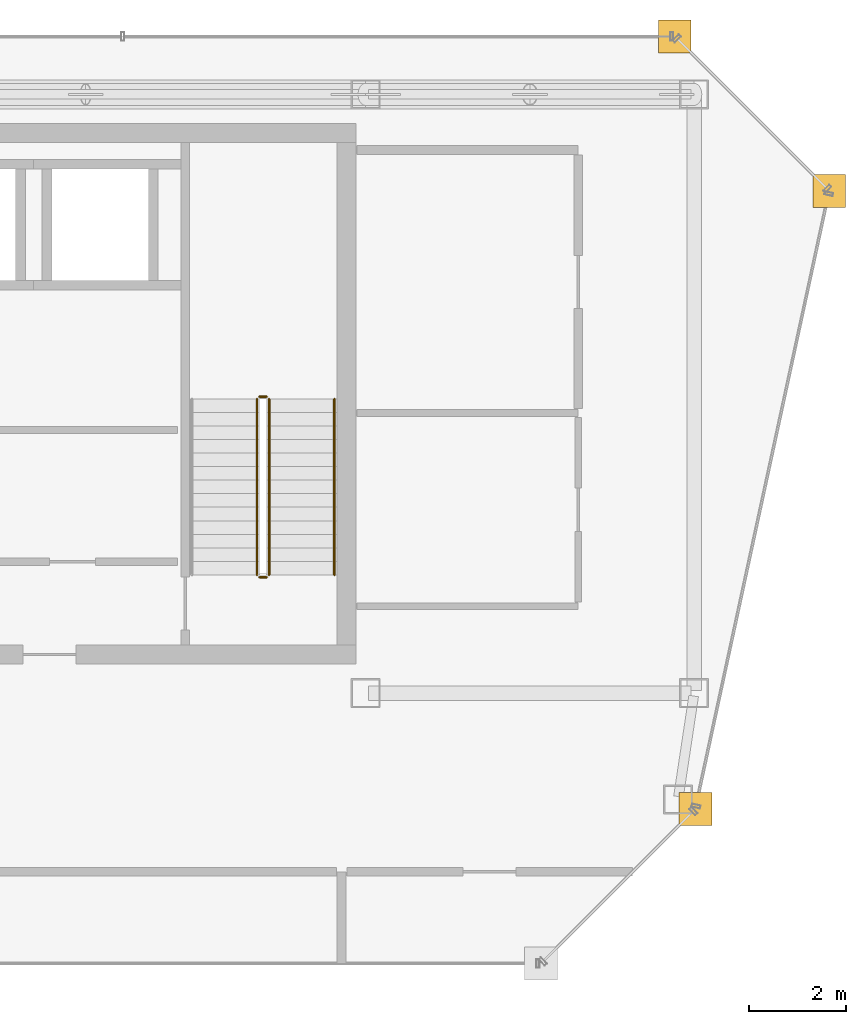
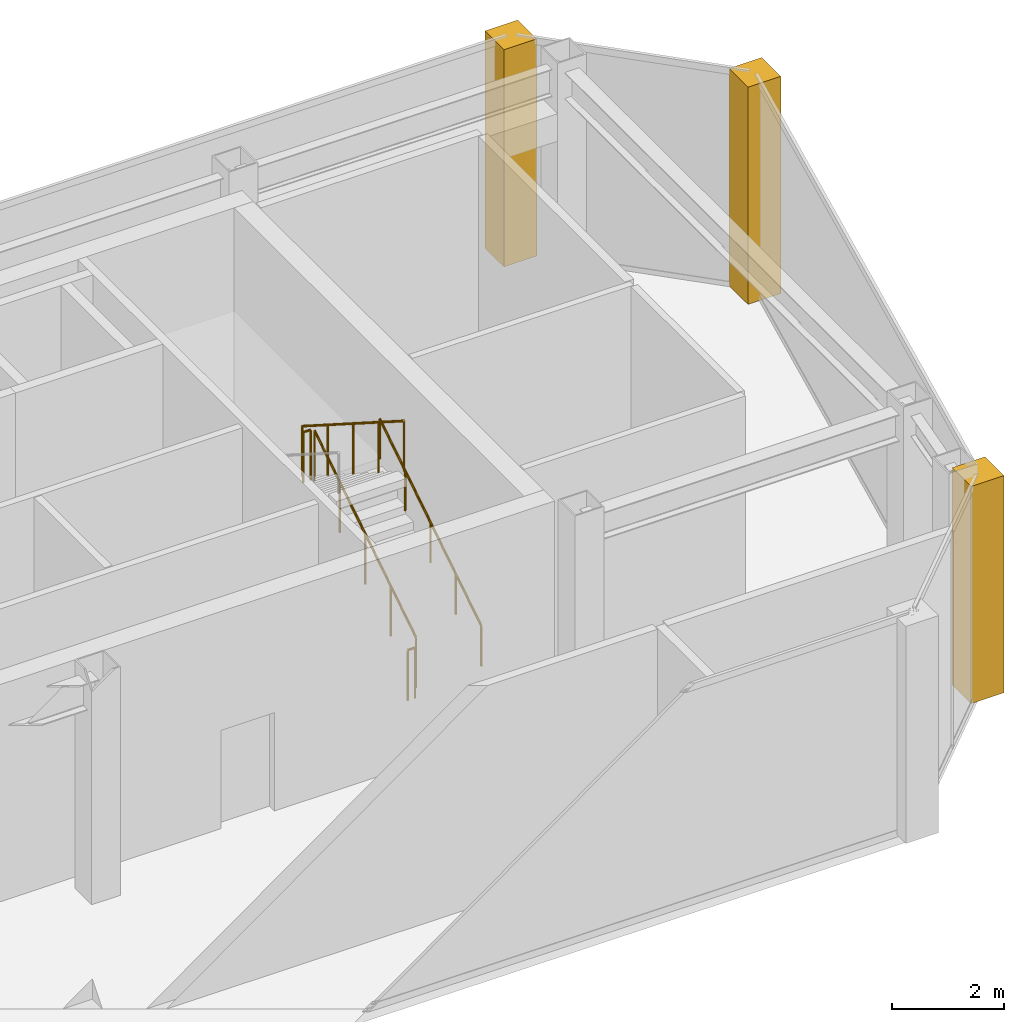
# One storey, part 20 of 20: 5 railings, 3 coverings.
"""IFC4 building model written with IfcOpenShell, lengths in metres."""

from ifc_helpers import new_model, si_unit, direction, frame, origin, origin_2d, place, context, subcontext, project, spatial, polyline, circle, outline, extrude, material, layer, layer_set, type_object, element, save


model = new_model("IFC4")

# Units and contexts
model_context = context("Model", 3, precision=1e-05, world=origin(), true_north=direction((0.0, 1.0)))
body_context = subcontext(model_context, "Body", "Model", "MODEL_VIEW")
ifc_project = project(units=[si_unit("LENGTHUNIT", "METRE"), si_unit("AREAUNIT", "SQUARE_METRE"), si_unit("VOLUMEUNIT", "CUBIC_METRE"), si_unit("PLANEANGLEUNIT", "RADIAN"), si_unit("MASSUNIT", "GRAM", prefix="KILO")], contexts=[model_context])

# Site, building, storey
site_placement = place(None, origin())
site = spatial("IfcSite", under=ifc_project, at=site_placement, CompositionType="ELEMENT")
building_placement = place(site_placement, origin())
building = spatial("IfcBuilding", under=site, at=building_placement, Name="Saevonmaru Cultural Tower", CompositionType="ELEMENT")
storey_placement = place(building_placement, frame((0.0, 0.0, 314.199951171875)))
storey = spatial("IfcBuildingStorey", under=building, at=storey_placement, Name="L75", CompositionType="ELEMENT", Elevation=314.199951171875)

# Coverings
ifc_material_1 = material(Name="Satin Bronze Anodised Aluminium", Category="aluminium")
ifc_layer = layer(ifc_material_1, 0.679931640625, Name="Satin Bronze Anodised Aluminium")
ifc_layer_set = layer_set([ifc_layer], Name="Satin Bronze Anodised Aluminium")
covering_type = type_object("IfcCoveringType", Name="CV-CORNER-CLAD", PredefinedType="CLADDING", material=ifc_layer_set)
covering_1_placement = place(storey_placement, origin())
element("IfcCovering", 1, at=covering_1_placement, inside=storey, type_object=covering_type, Name="L75 Tower Bronze Corner Cladding Pier 8", PredefinedType="CLADDING", context=body_context, shape_type="SweptSolid", body=[
    extrude(outline(polyline([(52.886962890625, 39.659912109375), (53.56689453125, 39.659912109375), (53.56689453125, 40.340087890625), (52.886962890625, 40.340087890625), (52.886962890625, 39.659912109375)])), origin(), (0.0, 0.0, 1.0), 4.75),
])
covering_2_placement = place(storey_placement, origin())
element("IfcCovering", 2, at=covering_2_placement, inside=storey, type_object=covering_type, Name="L75 Tower Bronze Corner Cladding Pier 9", PredefinedType="CLADDING", context=body_context, shape_type="SweptSolid", body=[
    extrude(outline(polyline([(55.659912109375, 52.4599609375), (56.340087890625, 52.4599609375), (56.340087890625, 53.139892578125), (55.659912109375, 53.139892578125), (55.659912109375, 52.4599609375)])), origin(), (0.0, 0.0, 1.0), 4.75),
])
covering_3_placement = place(storey_placement, origin())
element("IfcCovering", 3, at=covering_3_placement, inside=storey, type_object=covering_type, Name="L75 Tower Bronze Corner Cladding Pier 10", PredefinedType="CLADDING", context=body_context, shape_type="SweptSolid", body=[
    extrude(outline(polyline([(52.4599609375, 55.659912109375), (53.139892578125, 55.659912109375), (53.139892578125, 56.340087890625), (52.4599609375, 56.340087890625), (52.4599609375, 55.659912109375)])), origin(), (0.0, 0.0, 1.0), 4.75),
])

# Railings
ifc_material_2 = material(Name="Architectural Painted Steel", Category="steel")
railing_type_1 = type_object("IfcRailingType", Name="RL-STAIR-GUARD", PredefinedType="GUARDRAIL", material=ifc_material_2)
railing_1_placement = place(storey_placement, frame((44.39990234375, 44.85009765625, 0.1787109375)))
element("IfcRailing", 4, at=railing_1_placement, inside=storey, type_object=railing_type_1, Name="L75 ST-2 stair guard 1", PredefinedType="GUARDRAIL", context=body_context, shape_type="SweptSolid", body=[
    extrude(circle(Radius=0.02392578125, at=origin_2d()), frame((0.0, 0.0, 1.09619140625), z_axis=(0.0, 0.843137146238, 0.537698570422), x_axis=(-1.0, 0.0, 0.0)), (0.0, 0.0, 1.0), 4.317138671875),
    extrude(circle(Radius=0.02099609375, at=origin_2d()), origin(), (0.0, 0.0, 1.0), 1.072021484375),
    extrude(circle(Radius=0.02099609375, at=origin_2d()), frame((0.0, 0.909912109375, 0.580322265625)), (0.0, 0.0, 1.0), 1.072021484375),
    extrude(circle(Radius=0.02099609375, at=origin_2d()), frame((0.0, 1.81982421875, 1.16064453125)), (0.0, 0.0, 1.0), 1.072021484375),
    extrude(circle(Radius=0.02099609375, at=origin_2d()), frame((0.0, 2.72998046875, 1.740966796875)), (0.0, 0.0, 1.0), 1.072021484375),
    extrude(circle(Radius=0.02099609375, at=origin_2d()), frame((0.0, 3.639892578125, 2.3212890625)), (0.0, 0.0, 1.0), 1.072021484375),
])
railing_2_placement = place(storey_placement, frame((44.35009765625, 48.5400390625, 2.5)))
element("IfcRailing", 5, at=railing_2_placement, inside=storey, type_object=railing_type_1, Name="L75 ST-2 stair guard 2", PredefinedType="GUARDRAIL", context=body_context, shape_type="SweptSolid", body=[
    extrude(circle(Radius=0.02392578125, at=origin_2d()), frame((0.0, 0.0, 1.09619140625), z_axis=(-1.0, 0.0, 0.0), x_axis=(0.0, -1.0, 0.0)), (0.0, 0.0, 1.0), 0.150146484375),
    extrude(circle(Radius=0.02099609375, at=origin_2d()), origin(), (0.0, 0.0, 1.0), 1.072021484375),
    extrude(circle(Radius=0.02099609375, at=origin_2d()), frame((-0.150146484375, 0.0, 0.0)), (0.0, 0.0, 1.0), 1.072021484375),
])
railing_3_placement = place(storey_placement, frame((44.14990234375, 48.489990234375, 2.6787109375)))
element("IfcRailing", 6, at=railing_3_placement, inside=storey, type_object=railing_type_1, Name="L75 ST-2 stair guard 3", PredefinedType="GUARDRAIL", context=body_context, shape_type="SweptSolid", body=[
    extrude(circle(Radius=0.02392578125, at=origin_2d()), frame((0.0, 0.0, 1.09619140625), z_axis=(0.0, -0.843137146238, 0.537698570422), x_axis=(1.0, 0.0, 0.0)), (0.0, 0.0, 1.0), 4.317138671875),
    extrude(circle(Radius=0.02099609375, at=origin_2d()), origin(), (0.0, 0.0, 1.0), 1.072021484375),
    extrude(circle(Radius=0.02099609375, at=origin_2d()), frame((0.0, -0.909912109375, 0.580322265625)), (0.0, 0.0, 1.0), 1.072021484375),
    extrude(circle(Radius=0.02099609375, at=origin_2d()), frame((0.0, -1.81982421875, 1.16064453125)), (0.0, 0.0, 1.0), 1.072021484375),
    extrude(circle(Radius=0.02099609375, at=origin_2d()), frame((0.0, -2.72998046875, 1.740966796875)), (0.0, 0.0, 1.0), 1.072021484375),
    extrude(circle(Radius=0.02099609375, at=origin_2d()), frame((0.0, -3.639892578125, 2.3212890625)), (0.0, 0.0, 1.0), 1.072021484375),
])
railing_4_placement = place(storey_placement, frame((44.35009765625, 44.800048828125, 0.0)))
element("IfcRailing", 7, at=railing_4_placement, inside=storey, type_object=railing_type_1, Name="L75 ST-2 stair guard 4", PredefinedType="GUARDRAIL", context=body_context, shape_type="SweptSolid", body=[
    extrude(circle(Radius=0.02392578125, at=origin_2d()), frame((0.0, 0.0, 1.09619140625), z_axis=(-1.0, 0.0, 0.0), x_axis=(0.0, -1.0, 0.0)), (0.0, 0.0, 1.0), 0.150146484375),
    extrude(circle(Radius=0.02099609375, at=origin_2d()), origin(), (0.0, 0.0, 1.0), 1.072021484375),
    extrude(circle(Radius=0.02099609375, at=origin_2d()), frame((-0.150146484375, 0.0, 0.0)), (0.0, 0.0, 1.0), 1.072021484375),
])
railing_type_2 = type_object("IfcRailingType", Name="RL-STAIR-HANDRAIL", PredefinedType="HANDRAIL", material=ifc_material_1)
railing_5_placement = place(storey_placement, frame((45.75, 44.85009765625, 0.1787109375)))
element("IfcRailing", 8, at=railing_5_placement, inside=storey, type_object=railing_type_2, Name="L75 ST-2 stair handrail 1", PredefinedType="HANDRAIL", context=body_context, shape_type="SweptSolid", body=[
    extrude(circle(Radius=0.02392578125, at=origin_2d()), frame((0.0, 0.0, 0.8759765625), z_axis=(0.0, 0.843137146238, 0.537698570422), x_axis=(-1.0, 0.0, 0.0)), (0.0, 0.0, 1.0), 4.317138671875),
    extrude(circle(Radius=0.02099609375, at=origin_2d()), origin(), (0.0, 0.0, 1.0), 0.851806640625),
    extrude(circle(Radius=0.02099609375, at=origin_2d()), frame((0.0, 0.909912109375, 0.580322265625)), (0.0, 0.0, 1.0), 0.851806640625),
    extrude(circle(Radius=0.02099609375, at=origin_2d()), frame((0.0, 1.81982421875, 1.16064453125)), (0.0, 0.0, 1.0), 0.851806640625),
    extrude(circle(Radius=0.02099609375, at=origin_2d()), frame((0.0, 2.72998046875, 1.740966796875)), (0.0, 0.0, 1.0), 0.851806640625),
    extrude(circle(Radius=0.02099609375, at=origin_2d()), frame((0.0, 3.639892578125, 2.3212890625)), (0.0, 0.0, 1.0), 0.851806640625),
])

save(model, "model.ifc")
